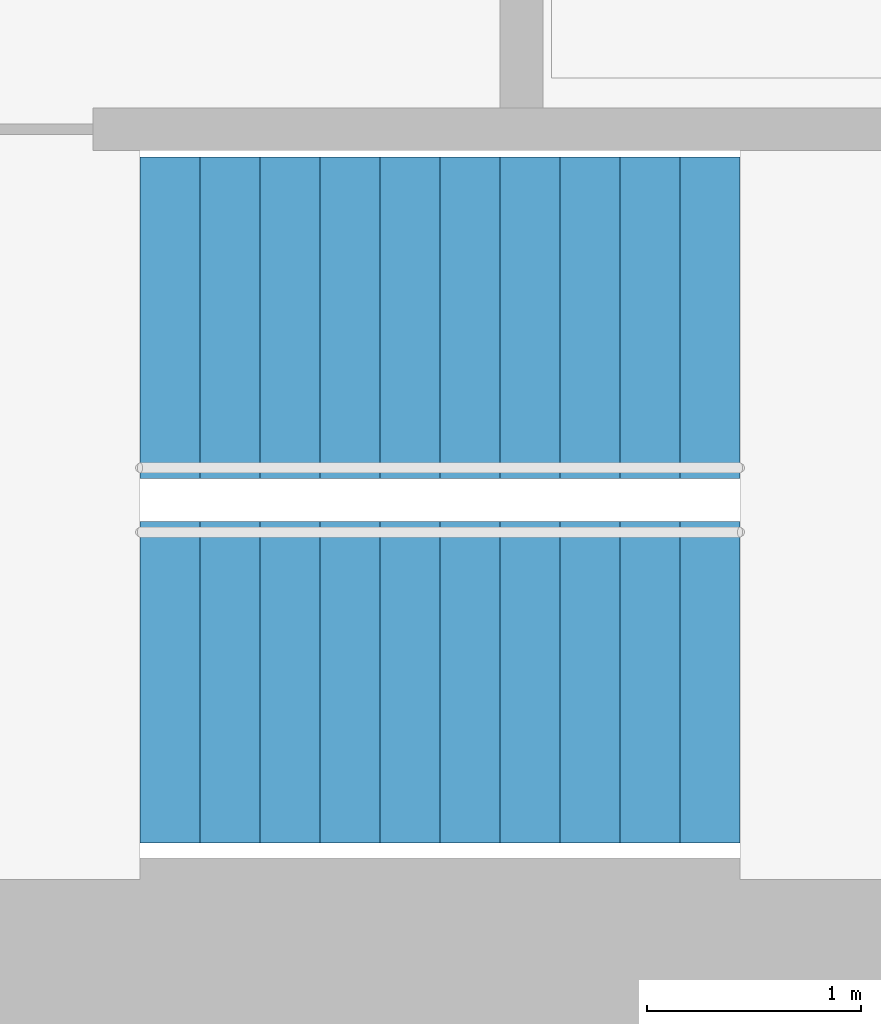
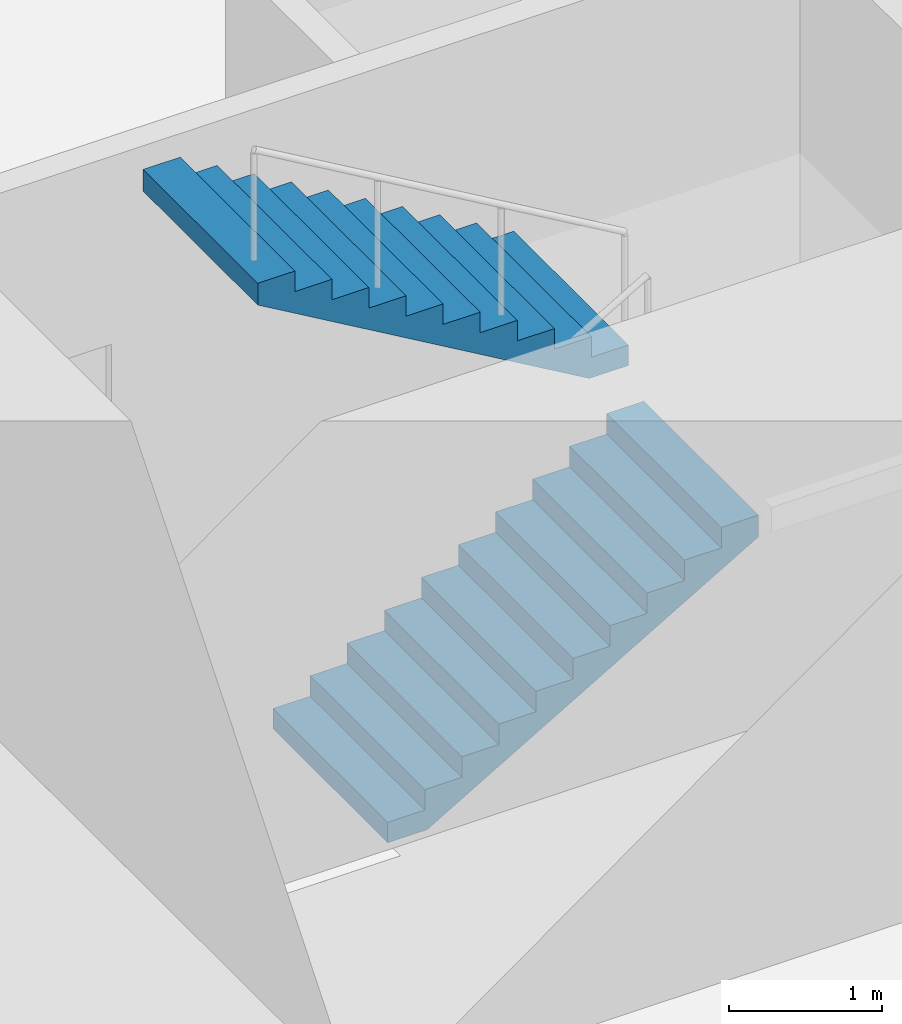
# One storey, part 13 of 15: 2 stair flights, 1 element without a shape of its own.
"""IFC4 building model written with IfcOpenShell, lengths in metres."""

from ifc_helpers import new_model, si_unit, direction, frame, origin, place, context, subcontext, project, spatial, triangles, material, type_object, element, aggregate, save


model = new_model("IFC4")

# Units and contexts
model_context = context("Model", 3, precision=1e-05, world=origin(), true_north=direction((0.0, 1.0)))
body_context = subcontext(model_context, "Body", "Model", "MODEL_VIEW")
ifc_project = project(units=[si_unit("LENGTHUNIT", "METRE"), si_unit("AREAUNIT", "SQUARE_METRE"), si_unit("VOLUMEUNIT", "CUBIC_METRE"), si_unit("PLANEANGLEUNIT", "RADIAN"), si_unit("MASSUNIT", "GRAM", prefix="KILO")], contexts=[model_context])

# Site, building, storey
site_placement = place(None, origin())
site = spatial("IfcSite", under=ifc_project, at=site_placement, CompositionType="ELEMENT")
building_placement = place(site_placement, origin())
building = spatial("IfcBuilding", under=site, at=building_placement, Name="Lantaw Convention Tower", CompositionType="ELEMENT")
storey_placement = place(building_placement, frame((0.0, 0.0, 65.800048828125)))
storey = spatial("IfcBuildingStorey", under=building, at=storey_placement, Name="L14", CompositionType="ELEMENT", Elevation=65.800048828125)

# Stair, stair flights
ifc_material = material(Name="Concrete C35/45", Category="concrete")
stair_type = type_object("IfcStairType", Name="Exit stair 1500 riser 163.64 in 2 flights", PredefinedType="HALF_TURN_STAIR", material=ifc_material)
stair_placement = place(storey_placement, origin())
stair = element("IfcStair", 1, at=stair_placement, inside=storey, type_object=stair_type, Name="Exit stair S1 L14", PredefinedType="HALF_TURN_STAIR")
stair_flight_type = type_object("IfcStairFlightType", Name="Stair flight 1500 riser 163.64", PredefinedType="STRAIGHT", material=ifc_material)
stair_flight_1_placement = place(storey_placement, frame((-10.580078125, -5.97998046875, 0.0), z_axis=(0.0, 0.0, 1.0), x_axis=(1.0, 0.0, 0.0)))
stair_flight_1 = element("IfcStairFlight", 2, at=stair_flight_1_placement, type_object=stair_flight_type, Name="S1 flight 1", NumberOfRisers=11, NumberOfTreads=10, PredefinedType="STRAIGHT", RiserHeight=0.163636364, TreadLength=0.28, context=body_context, shape_type="Tessellation", body=[
    triangles([(0.0, 0.75, 0.0), (0.0, 0.75, 0.163636364), (0.28, 0.75, 0.0), (0.28, 0.75, 0.163636364), (0.28, 0.75, 0.327272728), (0.2970904571225277, 0.75, 0.0), (0.2970904571225277, 0.75, 0.327272728), (0.56, 0.75, 0.1536484344906131), (0.56, 0.75, 0.327272728), (0.56, 0.75, 0.490909092), (0.8400000000000001, 0.75, 0.3172847984906131), (0.8400000000000001, 0.75, 0.490909092), (0.8400000000000001, 0.75, 0.654545456), (1.12, 0.75, 0.4809211624906131), (1.12, 0.75, 0.654545456), (1.12, 0.75, 0.8181818200000001), (1.4000000000000001, 0.75, 0.6445575264906132), (1.4000000000000001, 0.75, 0.8181818200000001), (1.4000000000000001, 0.75, 0.981818184), (1.6800000000000002, 0.75, 0.8081938904906131), (1.6800000000000002, 0.75, 0.981818184), (1.6800000000000002, 0.75, 1.145454548), (1.9600000000000002, 0.75, 0.9718302544906131), (1.9600000000000002, 0.75, 1.145454548), (1.9600000000000002, 0.75, 1.309090912), (2.24, 0.75, 1.135466618490613), (2.24, 0.75, 1.309090912), (2.24, 0.75, 1.472727276), (2.5200000000000005, 0.75, 1.2991029824906133), (2.5200000000000005, 0.75, 1.472727276), (2.5200000000000005, 0.75, 1.6363636400000001), (2.8000000000000003, 0.75, 1.462739346490613), (2.8000000000000003, 0.75, 1.6363636400000001), (0.0, -0.75, 0.0), (0.0, -0.75, 0.163636364), (0.28, -0.75, 0.0), (0.28, -0.75, 0.163636364), (0.28, -0.75, 0.327272728), (0.2970904571225277, -0.75, 0.0), (0.2970904571225277, -0.75, 0.327272728), (0.56, -0.75, 0.1536484344906131), (0.56, -0.75, 0.327272728), (0.56, -0.75, 0.490909092), (0.8400000000000001, -0.75, 0.3172847984906131), (0.8400000000000001, -0.75, 0.490909092), (0.8400000000000001, -0.75, 0.654545456), (1.12, -0.75, 0.4809211624906131), (1.12, -0.75, 0.654545456), (1.12, -0.75, 0.8181818200000001), (1.4000000000000001, -0.75, 0.6445575264906132), (1.4000000000000001, -0.75, 0.8181818200000001), (1.4000000000000001, -0.75, 0.981818184), (1.6800000000000002, -0.75, 0.8081938904906131), (1.6800000000000002, -0.75, 0.981818184), (1.6800000000000002, -0.75, 1.145454548), (1.9600000000000002, -0.75, 0.9718302544906131), (1.9600000000000002, -0.75, 1.145454548), (1.9600000000000002, -0.75, 1.309090912), (2.24, -0.75, 1.135466618490613), (2.24, -0.75, 1.309090912), (2.24, -0.75, 1.472727276), (2.5200000000000005, -0.75, 1.2991029824906133), (2.5200000000000005, -0.75, 1.472727276), (2.5200000000000005, -0.75, 1.6363636400000001), (2.8000000000000003, -0.75, 1.462739346490613), (2.8000000000000003, -0.75, 1.6363636400000001), (0.0, 0.15000000000000002, 0.163636364), (0.0, 0.15000000000000002, 0.0), (0.0, 0.0, 0.163636364), (0.0, 0.0, 0.0), (0.0, -0.15000000000000002, 0.163636364), (0.0, -0.15000000000000002, 0.0), (0.28, 0.15000000000000002, 0.327272728), (0.28, 0.15000000000000002, 0.163636364), (0.28, 0.0, 0.327272728), (0.28, 0.0, 0.163636364), (0.28, -0.15000000000000002, 0.327272728), (0.28, -0.15000000000000002, 0.163636364), (0.56, 0.15000000000000002, 0.490909092), (0.56, 0.15000000000000002, 0.327272728), (0.56, 0.0, 0.490909092), (0.56, 0.0, 0.327272728), (0.56, -0.15000000000000002, 0.490909092), (0.56, -0.15000000000000002, 0.327272728), (0.8400000000000001, 0.15000000000000002, 0.654545456), (0.8400000000000001, 0.15000000000000002, 0.490909092), (0.8400000000000001, 0.0, 0.654545456), (0.8400000000000001, 0.0, 0.490909092), (0.8400000000000001, -0.15000000000000002, 0.654545456), (0.8400000000000001, -0.15000000000000002, 0.490909092), (1.12, 0.15000000000000002, 0.8181818200000001), (1.12, 0.15000000000000002, 0.654545456), (1.12, 0.0, 0.8181818200000001), (1.12, 0.0, 0.654545456), (1.12, -0.15000000000000002, 0.8181818200000001), (1.12, -0.15000000000000002, 0.654545456), (1.4000000000000001, 0.15000000000000002, 0.981818184), (1.4000000000000001, 0.15000000000000002, 0.8181818200000001), (1.4000000000000001, 0.0, 0.981818184), (1.4000000000000001, 0.0, 0.8181818200000001), (1.4000000000000001, -0.15000000000000002, 0.981818184), (1.4000000000000001, -0.15000000000000002, 0.8181818200000001), (1.6800000000000002, 0.15000000000000002, 1.145454548), (1.6800000000000002, 0.15000000000000002, 0.981818184), (1.6800000000000002, 0.0, 1.145454548), (1.6800000000000002, 0.0, 0.981818184), (1.6800000000000002, -0.15000000000000002, 1.145454548), (1.6800000000000002, -0.15000000000000002, 0.981818184), (1.9600000000000002, 0.15000000000000002, 1.309090912), (1.9600000000000002, 0.15000000000000002, 1.145454548), (1.9600000000000002, 0.0, 1.309090912), (1.9600000000000002, 0.0, 1.145454548), (1.9600000000000002, -0.15000000000000002, 1.309090912), (1.9600000000000002, -0.15000000000000002, 1.145454548), (2.24, 0.15000000000000002, 1.472727276), (2.24, 0.15000000000000002, 1.309090912), (2.24, 0.0, 1.472727276), (2.24, 0.0, 1.309090912), (2.24, -0.15000000000000002, 1.472727276), (2.24, -0.15000000000000002, 1.309090912), (2.5200000000000005, 0.15000000000000002, 1.6363636400000001), (2.5200000000000005, 0.15000000000000002, 1.472727276), (2.5200000000000005, 0.0, 1.6363636400000001), (2.5200000000000005, 0.0, 1.472727276), (2.5200000000000005, -0.15000000000000002, 1.6363636400000001), (2.5200000000000005, -0.15000000000000002, 1.472727276), (0.2970904571225277, 0.15000000000000002, 0.327272728), (0.2970904571225277, 0.0, 0.327272728), (0.2970904571225277, -0.15000000000000002, 0.327272728), (2.8000000000000003, 0.15000000000000002, 1.6363636400000001), (2.8000000000000003, 0.0, 1.6363636400000001), (2.8000000000000003, -0.15000000000000002, 1.6363636400000001), (2.8000000000000003, 0.15000000000000002, 1.462739346490613), (2.8000000000000003, 0.0, 1.462739346490613), (2.8000000000000003, -0.15000000000000002, 1.462739346490613), (2.5200000000000005, 0.15000000000000002, 1.2991029824906133), (2.5200000000000005, 0.0, 1.2991029824906133), (2.5200000000000005, -0.15000000000000002, 1.2991029824906133), (2.24, 0.15000000000000002, 1.135466618490613), (2.24, 0.0, 1.135466618490613), (2.24, -0.15000000000000002, 1.135466618490613), (1.9600000000000002, 0.15000000000000002, 0.9718302544906131), (1.9600000000000002, 0.0, 0.9718302544906131), (1.9600000000000002, -0.15000000000000002, 0.9718302544906131), (1.6800000000000002, 0.15000000000000002, 0.8081938904906131), (1.6800000000000002, 0.0, 0.8081938904906131), (1.6800000000000002, -0.15000000000000002, 0.8081938904906131), (1.4000000000000001, 0.15000000000000002, 0.6445575264906132), (1.4000000000000001, 0.0, 0.6445575264906132), (1.4000000000000001, -0.15000000000000002, 0.6445575264906132), (1.12, 0.15000000000000002, 0.4809211624906131), (1.12, 0.0, 0.4809211624906131), (1.12, -0.15000000000000002, 0.4809211624906131), (0.8400000000000001, 0.15000000000000002, 0.3172847984906131), (0.8400000000000001, 0.0, 0.3172847984906131), (0.8400000000000001, -0.15000000000000002, 0.3172847984906131), (0.56, 0.15000000000000002, 0.1536484344906131), (0.56, 0.0, 0.1536484344906131), (0.56, -0.15000000000000002, 0.1536484344906131), (0.2970904571225277, 0.15000000000000002, 0.0), (0.2970904571225277, 0.0, 0.0), (0.2970904571225277, -0.15000000000000002, 0.0), (0.28, 0.15000000000000002, 0.0), (0.28, 0.0, 0.0), (0.28, -0.15000000000000002, 0.0)], [[1, 4, 3], [1, 2, 4], [3, 4, 6], [4, 7, 6], [4, 5, 7], [6, 9, 8], [6, 7, 9], [8, 9, 11], [9, 12, 11], [9, 10, 12], [11, 12, 14], [12, 15, 14], [12, 13, 15], [14, 15, 17], [15, 18, 17], [15, 16, 18], [17, 18, 20], [18, 21, 20], [18, 19, 21], [20, 21, 23], [21, 24, 23], [21, 22, 24], [23, 24, 26], [24, 27, 26], [24, 25, 27], [26, 27, 29], [27, 30, 29], [27, 28, 30], [29, 30, 32], [30, 33, 32], [30, 31, 33], [34, 36, 37], [34, 37, 35], [36, 39, 37], [37, 39, 40], [37, 40, 38], [39, 41, 42], [39, 42, 40], [41, 44, 42], [42, 44, 45], [42, 45, 43], [44, 47, 45], [45, 47, 48], [45, 48, 46], [47, 50, 48], [48, 50, 51], [48, 51, 49], [50, 53, 51], [51, 53, 54], [51, 54, 52], [53, 56, 54], [54, 56, 57], [54, 57, 55], [56, 59, 57], [57, 59, 60], [57, 60, 58], [59, 62, 60], [60, 62, 63], [60, 63, 61], [62, 65, 63], [63, 65, 66], [63, 66, 64], [1, 67, 2], [1, 68, 67], [68, 69, 67], [68, 70, 69], [70, 71, 69], [70, 72, 71], [72, 35, 71], [72, 34, 35], [4, 73, 5], [4, 74, 73], [74, 75, 73], [74, 76, 75], [76, 77, 75], [76, 78, 77], [78, 38, 77], [78, 37, 38], [9, 79, 10], [9, 80, 79], [80, 81, 79], [80, 82, 81], [82, 83, 81], [82, 84, 83], [84, 43, 83], [84, 42, 43], [12, 85, 13], [12, 86, 85], [86, 87, 85], [86, 88, 87], [88, 89, 87], [88, 90, 89], [90, 46, 89], [90, 45, 46], [15, 91, 16], [15, 92, 91], [92, 93, 91], [92, 94, 93], [94, 95, 93], [94, 96, 95], [96, 49, 95], [96, 48, 49], [18, 97, 19], [18, 98, 97], [98, 99, 97], [98, 100, 99], [100, 101, 99], [100, 102, 101], [102, 52, 101], [102, 51, 52], [21, 103, 22], [21, 104, 103], [104, 105, 103], [104, 106, 105], [106, 107, 105], [106, 108, 107], [108, 55, 107], [108, 54, 55], [24, 109, 25], [24, 110, 109], [110, 111, 109], [110, 112, 111], [112, 113, 111], [112, 114, 113], [114, 58, 113], [114, 57, 58], [27, 115, 28], [27, 116, 115], [116, 117, 115], [116, 118, 117], [118, 119, 117], [118, 120, 119], [120, 61, 119], [120, 60, 61], [30, 121, 31], [30, 122, 121], [122, 123, 121], [122, 124, 123], [124, 125, 123], [124, 126, 125], [126, 64, 125], [126, 63, 64], [2, 74, 4], [2, 67, 74], [67, 76, 74], [67, 69, 76], [69, 78, 76], [69, 71, 78], [71, 37, 78], [71, 35, 37], [5, 127, 7], [5, 73, 127], [73, 128, 127], [73, 75, 128], [75, 129, 128], [75, 77, 129], [77, 40, 129], [77, 38, 40], [7, 80, 9], [7, 127, 80], [127, 82, 80], [127, 128, 82], [128, 84, 82], [128, 129, 84], [129, 42, 84], [129, 40, 42], [10, 86, 12], [10, 79, 86], [79, 88, 86], [79, 81, 88], [81, 90, 88], [81, 83, 90], [83, 45, 90], [83, 43, 45], [13, 92, 15], [13, 85, 92], [85, 94, 92], [85, 87, 94], [87, 96, 94], [87, 89, 96], [89, 48, 96], [89, 46, 48], [16, 98, 18], [16, 91, 98], [91, 100, 98], [91, 93, 100], [93, 102, 100], [93, 95, 102], [95, 51, 102], [95, 49, 51], [19, 104, 21], [19, 97, 104], [97, 106, 104], [97, 99, 106], [99, 108, 106], [99, 101, 108], [101, 54, 108], [101, 52, 54], [22, 110, 24], [22, 103, 110], [103, 112, 110], [103, 105, 112], [105, 114, 112], [105, 107, 114], [107, 57, 114], [107, 55, 57], [25, 116, 27], [25, 109, 116], [109, 118, 116], [109, 111, 118], [111, 120, 118], [111, 113, 120], [113, 60, 120], [113, 58, 60], [28, 122, 30], [28, 115, 122], [115, 124, 122], [115, 117, 124], [117, 126, 124], [117, 119, 126], [119, 63, 126], [119, 61, 63], [31, 130, 33], [31, 121, 130], [121, 131, 130], [121, 123, 131], [123, 132, 131], [123, 125, 132], [125, 66, 132], [125, 64, 66], [33, 133, 32], [33, 130, 133], [130, 134, 133], [130, 131, 134], [131, 135, 134], [131, 132, 135], [132, 65, 135], [132, 66, 65], [32, 136, 29], [32, 133, 136], [133, 137, 136], [133, 134, 137], [134, 138, 137], [134, 135, 138], [135, 62, 138], [135, 65, 62], [29, 139, 26], [29, 136, 139], [136, 140, 139], [136, 137, 140], [137, 141, 140], [137, 138, 141], [138, 59, 141], [138, 62, 59], [26, 142, 23], [26, 139, 142], [139, 143, 142], [139, 140, 143], [140, 144, 143], [140, 141, 144], [141, 56, 144], [141, 59, 56], [23, 145, 20], [23, 142, 145], [142, 146, 145], [142, 143, 146], [143, 147, 146], [143, 144, 147], [144, 53, 147], [144, 56, 53], [20, 148, 17], [20, 145, 148], [145, 149, 148], [145, 146, 149], [146, 150, 149], [146, 147, 150], [147, 50, 150], [147, 53, 50], [17, 151, 14], [17, 148, 151], [148, 152, 151], [148, 149, 152], [149, 153, 152], [149, 150, 153], [150, 47, 153], [150, 50, 47], [14, 154, 11], [14, 151, 154], [151, 155, 154], [151, 152, 155], [152, 156, 155], [152, 153, 156], [153, 44, 156], [153, 47, 44], [11, 157, 8], [11, 154, 157], [154, 158, 157], [154, 155, 158], [155, 159, 158], [155, 156, 159], [156, 41, 159], [156, 44, 41], [8, 160, 6], [8, 157, 160], [157, 161, 160], [157, 158, 161], [158, 162, 161], [158, 159, 162], [159, 39, 162], [159, 41, 39], [6, 163, 3], [6, 160, 163], [160, 164, 163], [160, 161, 164], [161, 165, 164], [161, 162, 165], [162, 36, 165], [162, 39, 36], [3, 68, 1], [3, 163, 68], [163, 70, 68], [163, 164, 70], [164, 72, 70], [164, 165, 72], [165, 34, 72], [165, 36, 34]], closed=True),
])
stair_flight_2_placement = place(storey_placement, frame((-7.780029296875, -4.280029296875, 1.800048828125), z_axis=(0.0, 0.0, 1.0), x_axis=(-1.0, 0.0, 0.0)))
stair_flight_2 = element("IfcStairFlight", 3, at=stair_flight_2_placement, type_object=stair_flight_type, Name="S1 flight 2", NumberOfRisers=11, NumberOfTreads=10, PredefinedType="STRAIGHT", RiserHeight=0.163636364, TreadLength=0.28, context=body_context, shape_type="Tessellation", body=[
    triangles([(0.0, 0.75, 0.0), (0.0, 0.75, 0.163636364), (0.28, 0.75, 0.0), (0.28, 0.75, 0.163636364), (0.28, 0.75, 0.327272728), (0.2970904571225277, 0.75, 0.0), (0.2970904571225277, 0.75, 0.327272728), (0.56, 0.75, 0.1536484344906131), (0.56, 0.75, 0.327272728), (0.56, 0.75, 0.490909092), (0.8400000000000001, 0.75, 0.3172847984906131), (0.8400000000000001, 0.75, 0.490909092), (0.8400000000000001, 0.75, 0.654545456), (1.12, 0.75, 0.4809211624906131), (1.12, 0.75, 0.654545456), (1.12, 0.75, 0.8181818200000001), (1.4000000000000001, 0.75, 0.6445575264906132), (1.4000000000000001, 0.75, 0.8181818200000001), (1.4000000000000001, 0.75, 0.981818184), (1.6800000000000002, 0.75, 0.8081938904906131), (1.6800000000000002, 0.75, 0.981818184), (1.6800000000000002, 0.75, 1.145454548), (1.9600000000000002, 0.75, 0.9718302544906131), (1.9600000000000002, 0.75, 1.145454548), (1.9600000000000002, 0.75, 1.309090912), (2.24, 0.75, 1.135466618490613), (2.24, 0.75, 1.309090912), (2.24, 0.75, 1.472727276), (2.5200000000000005, 0.75, 1.2991029824906133), (2.5200000000000005, 0.75, 1.472727276), (2.5200000000000005, 0.75, 1.6363636400000001), (2.8000000000000003, 0.75, 1.462739346490613), (2.8000000000000003, 0.75, 1.6363636400000001), (0.0, -0.75, 0.0), (0.0, -0.75, 0.163636364), (0.28, -0.75, 0.0), (0.28, -0.75, 0.163636364), (0.28, -0.75, 0.327272728), (0.2970904571225277, -0.75, 0.0), (0.2970904571225277, -0.75, 0.327272728), (0.56, -0.75, 0.1536484344906131), (0.56, -0.75, 0.327272728), (0.56, -0.75, 0.490909092), (0.8400000000000001, -0.75, 0.3172847984906131), (0.8400000000000001, -0.75, 0.490909092), (0.8400000000000001, -0.75, 0.654545456), (1.12, -0.75, 0.4809211624906131), (1.12, -0.75, 0.654545456), (1.12, -0.75, 0.8181818200000001), (1.4000000000000001, -0.75, 0.6445575264906132), (1.4000000000000001, -0.75, 0.8181818200000001), (1.4000000000000001, -0.75, 0.981818184), (1.6800000000000002, -0.75, 0.8081938904906131), (1.6800000000000002, -0.75, 0.981818184), (1.6800000000000002, -0.75, 1.145454548), (1.9600000000000002, -0.75, 0.9718302544906131), (1.9600000000000002, -0.75, 1.145454548), (1.9600000000000002, -0.75, 1.309090912), (2.24, -0.75, 1.135466618490613), (2.24, -0.75, 1.309090912), (2.24, -0.75, 1.472727276), (2.5200000000000005, -0.75, 1.2991029824906133), (2.5200000000000005, -0.75, 1.472727276), (2.5200000000000005, -0.75, 1.6363636400000001), (2.8000000000000003, -0.75, 1.462739346490613), (2.8000000000000003, -0.75, 1.6363636400000001), (0.0, 0.15000000000000002, 0.163636364), (0.0, 0.15000000000000002, 0.0), (0.0, 0.0, 0.163636364), (0.0, 0.0, 0.0), (0.0, -0.15000000000000002, 0.163636364), (0.0, -0.15000000000000002, 0.0), (0.28, 0.15000000000000002, 0.327272728), (0.28, 0.15000000000000002, 0.163636364), (0.28, 0.0, 0.327272728), (0.28, 0.0, 0.163636364), (0.28, -0.15000000000000002, 0.327272728), (0.28, -0.15000000000000002, 0.163636364), (0.56, 0.15000000000000002, 0.490909092), (0.56, 0.15000000000000002, 0.327272728), (0.56, 0.0, 0.490909092), (0.56, 0.0, 0.327272728), (0.56, -0.15000000000000002, 0.490909092), (0.56, -0.15000000000000002, 0.327272728), (0.8400000000000001, 0.15000000000000002, 0.654545456), (0.8400000000000001, 0.15000000000000002, 0.490909092), (0.8400000000000001, 0.0, 0.654545456), (0.8400000000000001, 0.0, 0.490909092), (0.8400000000000001, -0.15000000000000002, 0.654545456), (0.8400000000000001, -0.15000000000000002, 0.490909092), (1.12, 0.15000000000000002, 0.8181818200000001), (1.12, 0.15000000000000002, 0.654545456), (1.12, 0.0, 0.8181818200000001), (1.12, 0.0, 0.654545456), (1.12, -0.15000000000000002, 0.8181818200000001), (1.12, -0.15000000000000002, 0.654545456), (1.4000000000000001, 0.15000000000000002, 0.981818184), (1.4000000000000001, 0.15000000000000002, 0.8181818200000001), (1.4000000000000001, 0.0, 0.981818184), (1.4000000000000001, 0.0, 0.8181818200000001), (1.4000000000000001, -0.15000000000000002, 0.981818184), (1.4000000000000001, -0.15000000000000002, 0.8181818200000001), (1.6800000000000002, 0.15000000000000002, 1.145454548), (1.6800000000000002, 0.15000000000000002, 0.981818184), (1.6800000000000002, 0.0, 1.145454548), (1.6800000000000002, 0.0, 0.981818184), (1.6800000000000002, -0.15000000000000002, 1.145454548), (1.6800000000000002, -0.15000000000000002, 0.981818184), (1.9600000000000002, 0.15000000000000002, 1.309090912), (1.9600000000000002, 0.15000000000000002, 1.145454548), (1.9600000000000002, 0.0, 1.309090912), (1.9600000000000002, 0.0, 1.145454548), (1.9600000000000002, -0.15000000000000002, 1.309090912), (1.9600000000000002, -0.15000000000000002, 1.145454548), (2.24, 0.15000000000000002, 1.472727276), (2.24, 0.15000000000000002, 1.309090912), (2.24, 0.0, 1.472727276), (2.24, 0.0, 1.309090912), (2.24, -0.15000000000000002, 1.472727276), (2.24, -0.15000000000000002, 1.309090912), (2.5200000000000005, 0.15000000000000002, 1.6363636400000001), (2.5200000000000005, 0.15000000000000002, 1.472727276), (2.5200000000000005, 0.0, 1.6363636400000001), (2.5200000000000005, 0.0, 1.472727276), (2.5200000000000005, -0.15000000000000002, 1.6363636400000001), (2.5200000000000005, -0.15000000000000002, 1.472727276), (0.2970904571225277, 0.15000000000000002, 0.327272728), (0.2970904571225277, 0.0, 0.327272728), (0.2970904571225277, -0.15000000000000002, 0.327272728), (2.8000000000000003, 0.15000000000000002, 1.6363636400000001), (2.8000000000000003, 0.0, 1.6363636400000001), (2.8000000000000003, -0.15000000000000002, 1.6363636400000001), (2.8000000000000003, 0.15000000000000002, 1.462739346490613), (2.8000000000000003, 0.0, 1.462739346490613), (2.8000000000000003, -0.15000000000000002, 1.462739346490613), (2.5200000000000005, 0.15000000000000002, 1.2991029824906133), (2.5200000000000005, 0.0, 1.2991029824906133), (2.5200000000000005, -0.15000000000000002, 1.2991029824906133), (2.24, 0.15000000000000002, 1.135466618490613), (2.24, 0.0, 1.135466618490613), (2.24, -0.15000000000000002, 1.135466618490613), (1.9600000000000002, 0.15000000000000002, 0.9718302544906131), (1.9600000000000002, 0.0, 0.9718302544906131), (1.9600000000000002, -0.15000000000000002, 0.9718302544906131), (1.6800000000000002, 0.15000000000000002, 0.8081938904906131), (1.6800000000000002, 0.0, 0.8081938904906131), (1.6800000000000002, -0.15000000000000002, 0.8081938904906131), (1.4000000000000001, 0.15000000000000002, 0.6445575264906132), (1.4000000000000001, 0.0, 0.6445575264906132), (1.4000000000000001, -0.15000000000000002, 0.6445575264906132), (1.12, 0.15000000000000002, 0.4809211624906131), (1.12, 0.0, 0.4809211624906131), (1.12, -0.15000000000000002, 0.4809211624906131), (0.8400000000000001, 0.15000000000000002, 0.3172847984906131), (0.8400000000000001, 0.0, 0.3172847984906131), (0.8400000000000001, -0.15000000000000002, 0.3172847984906131), (0.56, 0.15000000000000002, 0.1536484344906131), (0.56, 0.0, 0.1536484344906131), (0.56, -0.15000000000000002, 0.1536484344906131), (0.2970904571225277, 0.15000000000000002, 0.0), (0.2970904571225277, 0.0, 0.0), (0.2970904571225277, -0.15000000000000002, 0.0), (0.28, 0.15000000000000002, 0.0), (0.28, 0.0, 0.0), (0.28, -0.15000000000000002, 0.0)], [[1, 4, 3], [1, 2, 4], [3, 4, 6], [4, 7, 6], [4, 5, 7], [6, 9, 8], [6, 7, 9], [8, 9, 11], [9, 12, 11], [9, 10, 12], [11, 12, 14], [12, 15, 14], [12, 13, 15], [14, 15, 17], [15, 18, 17], [15, 16, 18], [17, 18, 20], [18, 21, 20], [18, 19, 21], [20, 21, 23], [21, 24, 23], [21, 22, 24], [23, 24, 26], [24, 27, 26], [24, 25, 27], [26, 27, 29], [27, 30, 29], [27, 28, 30], [29, 30, 32], [30, 33, 32], [30, 31, 33], [34, 36, 37], [34, 37, 35], [36, 39, 37], [37, 39, 40], [37, 40, 38], [39, 41, 42], [39, 42, 40], [41, 44, 42], [42, 44, 45], [42, 45, 43], [44, 47, 45], [45, 47, 48], [45, 48, 46], [47, 50, 48], [48, 50, 51], [48, 51, 49], [50, 53, 51], [51, 53, 54], [51, 54, 52], [53, 56, 54], [54, 56, 57], [54, 57, 55], [56, 59, 57], [57, 59, 60], [57, 60, 58], [59, 62, 60], [60, 62, 63], [60, 63, 61], [62, 65, 63], [63, 65, 66], [63, 66, 64], [1, 67, 2], [1, 68, 67], [68, 69, 67], [68, 70, 69], [70, 71, 69], [70, 72, 71], [72, 35, 71], [72, 34, 35], [4, 73, 5], [4, 74, 73], [74, 75, 73], [74, 76, 75], [76, 77, 75], [76, 78, 77], [78, 38, 77], [78, 37, 38], [9, 79, 10], [9, 80, 79], [80, 81, 79], [80, 82, 81], [82, 83, 81], [82, 84, 83], [84, 43, 83], [84, 42, 43], [12, 85, 13], [12, 86, 85], [86, 87, 85], [86, 88, 87], [88, 89, 87], [88, 90, 89], [90, 46, 89], [90, 45, 46], [15, 91, 16], [15, 92, 91], [92, 93, 91], [92, 94, 93], [94, 95, 93], [94, 96, 95], [96, 49, 95], [96, 48, 49], [18, 97, 19], [18, 98, 97], [98, 99, 97], [98, 100, 99], [100, 101, 99], [100, 102, 101], [102, 52, 101], [102, 51, 52], [21, 103, 22], [21, 104, 103], [104, 105, 103], [104, 106, 105], [106, 107, 105], [106, 108, 107], [108, 55, 107], [108, 54, 55], [24, 109, 25], [24, 110, 109], [110, 111, 109], [110, 112, 111], [112, 113, 111], [112, 114, 113], [114, 58, 113], [114, 57, 58], [27, 115, 28], [27, 116, 115], [116, 117, 115], [116, 118, 117], [118, 119, 117], [118, 120, 119], [120, 61, 119], [120, 60, 61], [30, 121, 31], [30, 122, 121], [122, 123, 121], [122, 124, 123], [124, 125, 123], [124, 126, 125], [126, 64, 125], [126, 63, 64], [2, 74, 4], [2, 67, 74], [67, 76, 74], [67, 69, 76], [69, 78, 76], [69, 71, 78], [71, 37, 78], [71, 35, 37], [5, 127, 7], [5, 73, 127], [73, 128, 127], [73, 75, 128], [75, 129, 128], [75, 77, 129], [77, 40, 129], [77, 38, 40], [7, 80, 9], [7, 127, 80], [127, 82, 80], [127, 128, 82], [128, 84, 82], [128, 129, 84], [129, 42, 84], [129, 40, 42], [10, 86, 12], [10, 79, 86], [79, 88, 86], [79, 81, 88], [81, 90, 88], [81, 83, 90], [83, 45, 90], [83, 43, 45], [13, 92, 15], [13, 85, 92], [85, 94, 92], [85, 87, 94], [87, 96, 94], [87, 89, 96], [89, 48, 96], [89, 46, 48], [16, 98, 18], [16, 91, 98], [91, 100, 98], [91, 93, 100], [93, 102, 100], [93, 95, 102], [95, 51, 102], [95, 49, 51], [19, 104, 21], [19, 97, 104], [97, 106, 104], [97, 99, 106], [99, 108, 106], [99, 101, 108], [101, 54, 108], [101, 52, 54], [22, 110, 24], [22, 103, 110], [103, 112, 110], [103, 105, 112], [105, 114, 112], [105, 107, 114], [107, 57, 114], [107, 55, 57], [25, 116, 27], [25, 109, 116], [109, 118, 116], [109, 111, 118], [111, 120, 118], [111, 113, 120], [113, 60, 120], [113, 58, 60], [28, 122, 30], [28, 115, 122], [115, 124, 122], [115, 117, 124], [117, 126, 124], [117, 119, 126], [119, 63, 126], [119, 61, 63], [31, 130, 33], [31, 121, 130], [121, 131, 130], [121, 123, 131], [123, 132, 131], [123, 125, 132], [125, 66, 132], [125, 64, 66], [33, 133, 32], [33, 130, 133], [130, 134, 133], [130, 131, 134], [131, 135, 134], [131, 132, 135], [132, 65, 135], [132, 66, 65], [32, 136, 29], [32, 133, 136], [133, 137, 136], [133, 134, 137], [134, 138, 137], [134, 135, 138], [135, 62, 138], [135, 65, 62], [29, 139, 26], [29, 136, 139], [136, 140, 139], [136, 137, 140], [137, 141, 140], [137, 138, 141], [138, 59, 141], [138, 62, 59], [26, 142, 23], [26, 139, 142], [139, 143, 142], [139, 140, 143], [140, 144, 143], [140, 141, 144], [141, 56, 144], [141, 59, 56], [23, 145, 20], [23, 142, 145], [142, 146, 145], [142, 143, 146], [143, 147, 146], [143, 144, 147], [144, 53, 147], [144, 56, 53], [20, 148, 17], [20, 145, 148], [145, 149, 148], [145, 146, 149], [146, 150, 149], [146, 147, 150], [147, 50, 150], [147, 53, 50], [17, 151, 14], [17, 148, 151], [148, 152, 151], [148, 149, 152], [149, 153, 152], [149, 150, 153], [150, 47, 153], [150, 50, 47], [14, 154, 11], [14, 151, 154], [151, 155, 154], [151, 152, 155], [152, 156, 155], [152, 153, 156], [153, 44, 156], [153, 47, 44], [11, 157, 8], [11, 154, 157], [154, 158, 157], [154, 155, 158], [155, 159, 158], [155, 156, 159], [156, 41, 159], [156, 44, 41], [8, 160, 6], [8, 157, 160], [157, 161, 160], [157, 158, 161], [158, 162, 161], [158, 159, 162], [159, 39, 162], [159, 41, 39], [6, 163, 3], [6, 160, 163], [160, 164, 163], [160, 161, 164], [161, 165, 164], [161, 162, 165], [162, 36, 165], [162, 39, 36], [3, 68, 1], [3, 163, 68], [163, 70, 68], [163, 164, 70], [164, 72, 70], [164, 165, 72], [165, 34, 72], [165, 36, 34]], closed=True),
])
aggregate(stair, [stair_flight_1, stair_flight_2])

save(model, "model.ifc")
